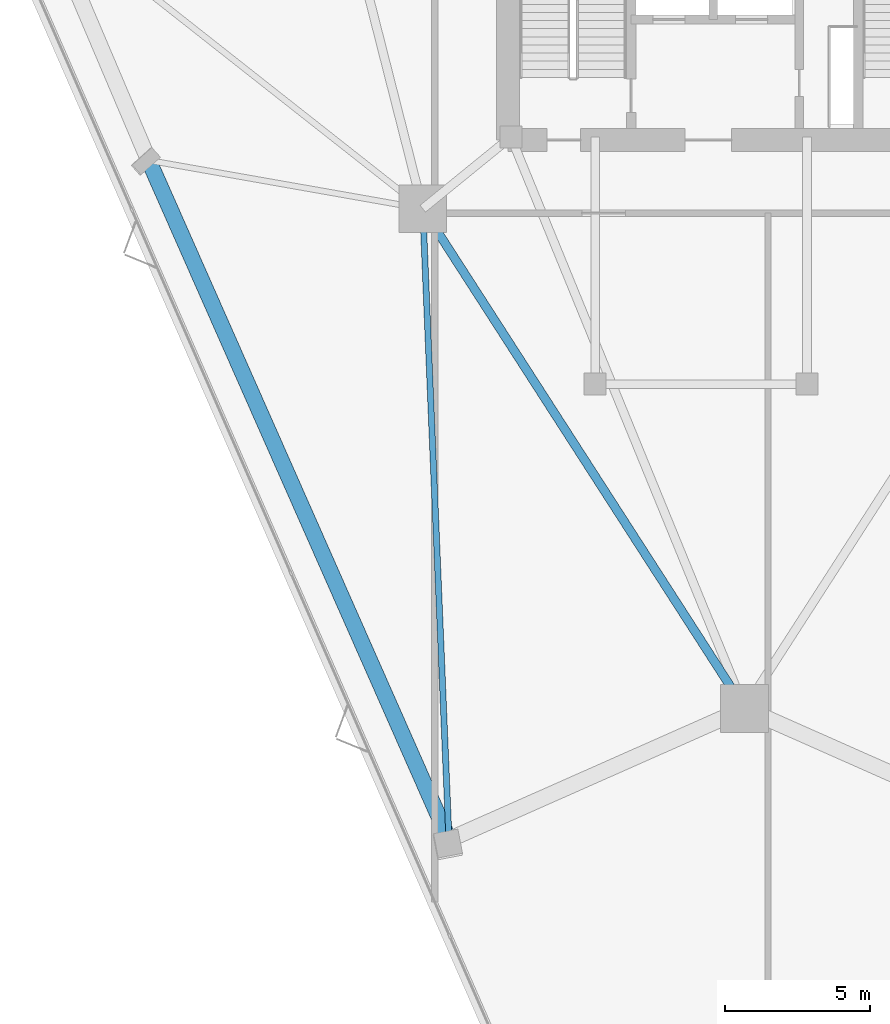
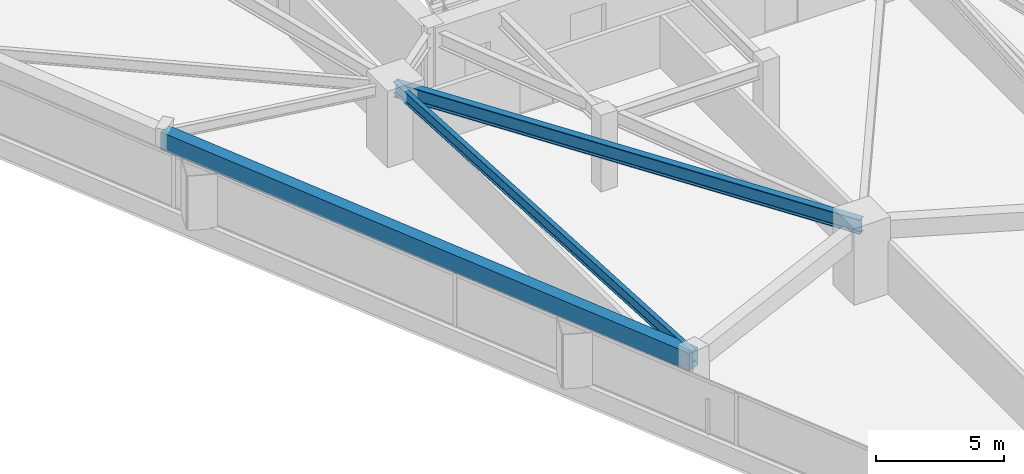
# One storey, part 3 of 20: 3 beams.
"""IFC4 building model written with IfcOpenShell, lengths in metres."""

from ifc_helpers import new_model, si_unit, direction, frame, origin, origin_2d, place, context, subcontext, project, spatial, rectangle, i_section, extrude, material, material_profile, profile_set, type_object, element, save


model = new_model("IFC4")

# Units and contexts
model_context = context("Model", 3, precision=1e-05, world=origin(), true_north=direction((0.0, 1.0)))
body_context = subcontext(model_context, "Body", "Model", "MODEL_VIEW")
ifc_project = project(units=[si_unit("LENGTHUNIT", "METRE"), si_unit("AREAUNIT", "SQUARE_METRE"), si_unit("VOLUMEUNIT", "CUBIC_METRE"), si_unit("PLANEANGLEUNIT", "RADIAN"), si_unit("MASSUNIT", "GRAM", prefix="KILO")], contexts=[model_context])

# Site, building, storey
site_placement = place(None, origin())
site = spatial("IfcSite", under=ifc_project, at=site_placement, CompositionType="ELEMENT")
building_placement = place(site_placement, origin())
building = spatial("IfcBuilding", under=site, at=building_placement, Name="Talyreon Biosciences Tower", CompositionType="ELEMENT")
storey_placement = place(building_placement, frame((0.0, 0.0, 75.0)))
storey = spatial("IfcBuildingStorey", under=building, at=storey_placement, Name="L19", CompositionType="ELEMENT", Elevation=75.0)

# Beams
ifc_material_1 = material(Name="Precast concrete C45/55", Category="concrete")
ifc_material_profile_1 = material_profile(ifc_material_1, rectangle(XDim=0.550048828125, YDim=0.85009765625, at=origin_2d()), Name="RCB 550x850")
ifc_profile_set_1 = profile_set([ifc_material_profile_1], Name="Precast concrete C45/55")
beam_type_1 = type_object("IfcBeamType", Name="ExpressedSpandrel_550x850", PredefinedType="SPANDREL", material=ifc_profile_set_1)
beam_1_placement = place(storey_placement, frame((45.474609375, 60.545654296875, 2.949951171875), z_axis=(0.404315019555, -0.914619792571, 0.0), x_axis=(0.914619792571, 0.404315019555, 0.0)))
element("IfcBeam", 1, at=beam_1_placement, inside=storey, type_object=beam_type_1, Name="L19 Expressed Horizontal Concrete Spandrel 11", PredefinedType="SPANDREL", context=body_context, shape_type="SweptSolid", body=[
    extrude(rectangle(XDim=0.550048828125, YDim=0.85009765625, at=origin_2d()), origin(), (0.0, 0.0, 1.0), 25.577392578125),
])
ifc_material_2 = material(Name="Steel SM355", Category="steel")
ifc_material_profile_2 = material_profile(ifc_material_2, i_section(OverallWidth=0.300048828125, OverallDepth=0.699951171875, WebThickness=0.01708984375, FlangeThickness=0.031982421875, FilletRadius=0.027099609375, at=origin_2d()), Name="HE700B")
ifc_profile_set_2 = profile_set([ifc_material_profile_2], Name="Steel SM355")
beam_type_2 = type_object("IfcBeamType", Name="SteelGirder_HE700B", PredefinedType="BEAM", material=ifc_profile_set_2)
beam_2_placement = place(storey_placement, frame((54.913818359375, 58.88037109375, 3.02490234375), z_axis=(0.541463723609, -0.840724114092, 0.0), x_axis=(0.840724114092, 0.541463723609, 0.0)))
element("IfcBeam", 2, at=beam_2_placement, inside=storey, type_object=beam_type_2, Name="L19 Mega-Ring Girder 6", PredefinedType="BEAM", context=body_context, shape_type="SweptSolid", body=[
    extrude(i_section(OverallWidth=0.300048828125, OverallDepth=0.699951171875, WebThickness=0.01708984375, FlangeThickness=0.031982421875, FilletRadius=0.027099609375, at=origin_2d()), origin(), (0.0, 0.0, 1.0), 20.474365234375),
])
ifc_material_profile_3 = material_profile(ifc_material_2, i_section(OverallWidth=0.2099609375, OverallDepth=0.550048828125, WebThickness=0.010986328125, FlangeThickness=0.01708984375, FilletRadius=0.02392578125, at=origin_2d()), Name="IPE550")
ifc_profile_set_3 = profile_set([ifc_material_profile_3], Name="Steel SM355")
beam_type_3 = type_object("IfcBeamType", Name="SteelJoist_IPE550", PredefinedType="JOIST", material=ifc_profile_set_3)
beam_3_placement = place(storey_placement, frame((54.913818359375, 58.88037109375, 3.10009765625), z_axis=(0.041481585159, -0.999139268617, 0.0), x_axis=(0.999139268617, 0.041481585159, 0.0)))
element("IfcBeam", 3, at=beam_3_placement, inside=storey, type_object=beam_type_3, Name="L19 Radial Composite Floor Joist PC-SW2", PredefinedType="JOIST", context=body_context, shape_type="SweptSolid", body=[
    extrude(i_section(OverallWidth=0.2099609375, OverallDepth=0.550048828125, WebThickness=0.010986328125, FlangeThickness=0.01708984375, FilletRadius=0.02392578125, at=origin_2d()), origin(), (0.0, 0.0, 1.0), 21.7470703125),
])

save(model, "model.ifc")
